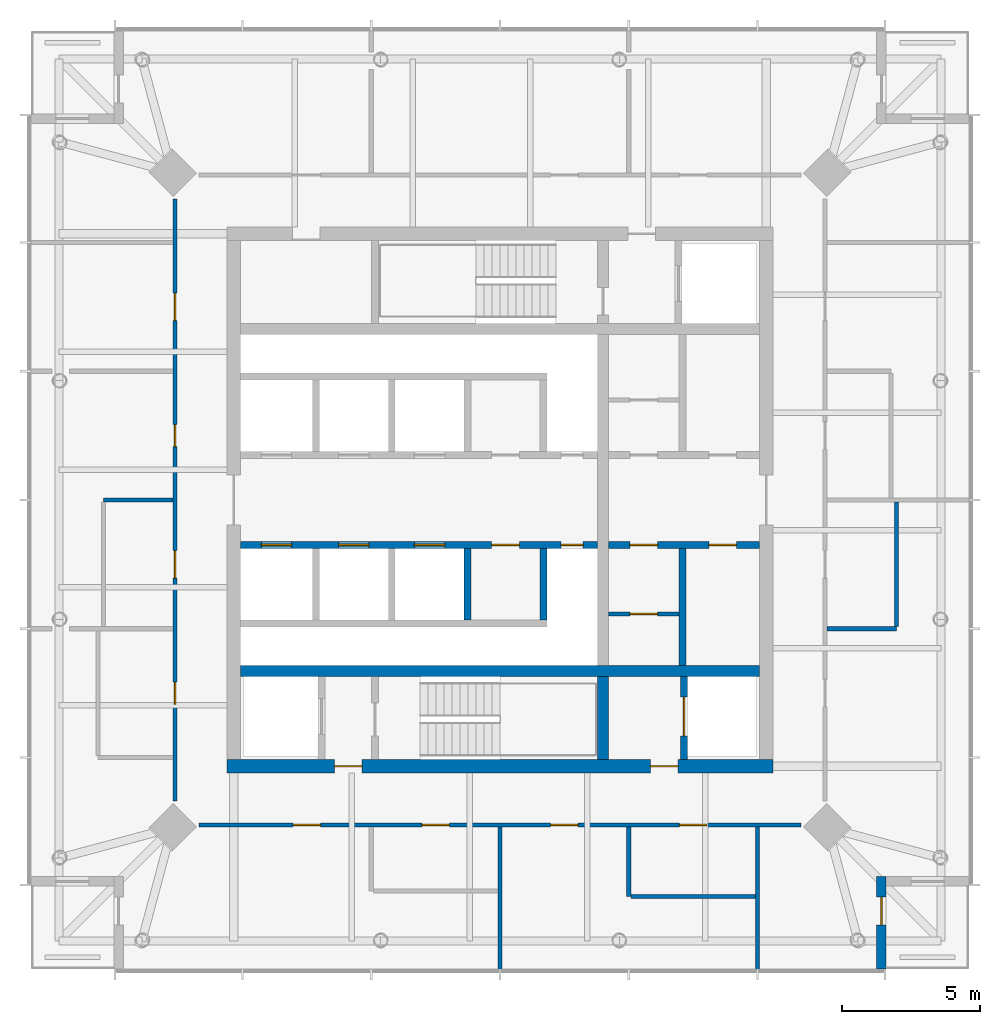
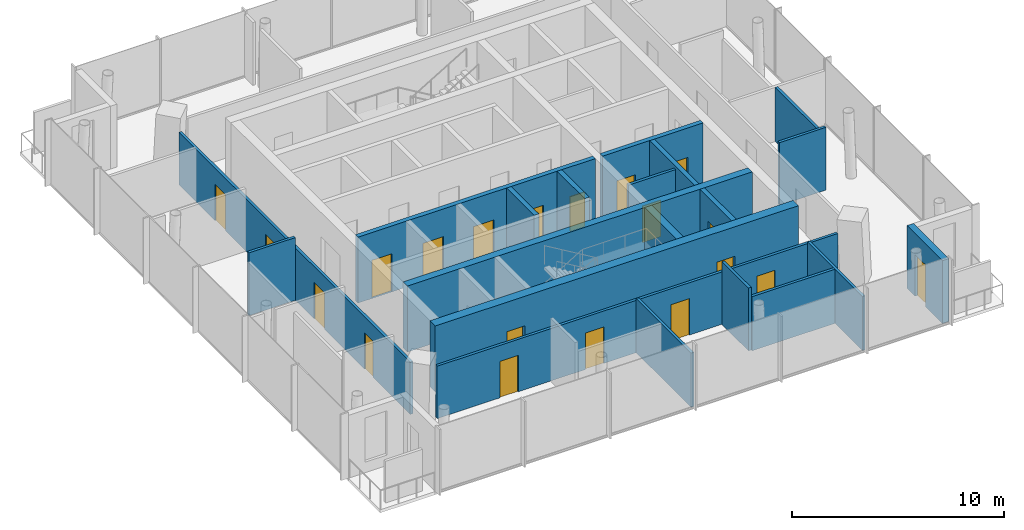
# One storey, part 4 of 7: 20 doors, 20 walls, 20 openings.
"""IFC4 building model written with IfcOpenShell, lengths in metres."""

from ifc_helpers import new_model, si_unit, direction, frame, frame_2d, origin, place, context, subcontext, project, spatial, rectangle, extrude, material, layer, layer_set, type_object, element, fill, save


model = new_model("IFC4")

# Units and contexts
model_context = context("Model", 3, precision=1e-05, world=origin(), true_north=direction((0.0, 1.0)))
body_context = subcontext(model_context, "Body", "Model", "MODEL_VIEW")
ifc_project = project(units=[si_unit("LENGTHUNIT", "METRE"), si_unit("AREAUNIT", "SQUARE_METRE"), si_unit("VOLUMEUNIT", "CUBIC_METRE"), si_unit("PLANEANGLEUNIT", "RADIAN"), si_unit("MASSUNIT", "GRAM", prefix="KILO")], contexts=[model_context])

# Site, building, storey
site_placement = place(None, origin())
site = spatial("IfcSite", under=ifc_project, at=site_placement, CompositionType="ELEMENT")
building_placement = place(site_placement, origin())
building = spatial("IfcBuilding", under=site, at=building_placement, Name="Ostroluk Exchange", CompositionType="ELEMENT")
storey_placement = place(building_placement, frame((0.0, 0.0, 271.800048828125)))
storey = spatial("IfcBuildingStorey", under=building, at=storey_placement, Name="L70", CompositionType="ELEMENT", Elevation=271.800048828125)

# Wall, opening, door
ifc_material_1 = material(Name="Concrete blockwork", Category="masonry")
ifc_layer_1 = layer(ifc_material_1, 0.14990234375)
ifc_layer_set_1 = layer_set([ifc_layer_1], Name="Blockwork plant room wall 150")
wall_type_1 = type_object("IfcWallType", Name="Blockwork plant room wall 150", PredefinedType="SOLIDWALL", material=ifc_layer_set_1)
wall_1_placement = place(storey_placement, frame((48.929931640625, 41.8701171875, 0.0), z_axis=(0.0, 0.0, 1.0), x_axis=(1.0, 0.0, 0.0)))
wall_1 = element("IfcWall", 1, at=wall_1_placement, inside=storey, type_object=wall_type_1, Name="Core room wall", PredefinedType="SOLIDWALL", context=body_context, shape_type="SweptSolid", body=[
    extrude(rectangle(XDim=2.56005859375, YDim=0.14990234375, at=frame_2d((1.280029296875, 0.0))), origin(), (0.0, 0.0, 1.0), 3.619873046875),
])
opening_1_placement = place(wall_1_placement, frame((0.780029296875, 0.0, 0.0)))
opening_1 = element("IfcOpeningElement", 2, at=opening_1_placement, cuts=wall_1, Name="Opening FD60", PredefinedType="OPENING", context=body_context, shape_type="SweptSolid", body=[
    extrude(rectangle(XDim=1.0, YDim=2.10009765625, at=frame_2d((0.5, 1.050048828125))), frame((0.0, 0.0849609375, 0.0), z_axis=(0.0, -1.0, 0.0), x_axis=(1.0, 0.0, 0.0)), (0.0, 0.0, 1.0), 0.169921875),
])
ifc_material_2 = material(Name="Steel", Category="steel")
door_type_1 = type_object("IfcDoorType", Name="Fire door EI 60 1000 x 2100", OperationType="SINGLE_SWING_LEFT", PredefinedType="DOOR", material=ifc_material_2)
door_1_placement = place(opening_1_placement, origin())
door_1 = element("IfcDoor", 3, at=door_1_placement, inside=storey, type_object=door_type_1, Name="Store door", OperationType="SINGLE_SWING_LEFT", OverallHeight=2.10009765625, OverallWidth=1.0, PredefinedType="DOOR", context=body_context, shape_type="SweptSolid", body=[
    extrude(rectangle(XDim=1.0, YDim=2.10009765625, at=frame_2d((0.5, 1.050048828125))), frame((0.0, 0.02490234375, 0.0), z_axis=(0.0, -1.0, 0.0), x_axis=(1.0, 0.0, 0.0)), (0.0, 0.0, 1.0), 0.050048828125),
])
fill(opening_1, door_1)

# Walls
ifc_material_3 = material(Name="Concrete C50/60", Category="concrete")
ifc_layer_2 = layer(ifc_material_3, 0.39990234375)
ifc_layer_set_2 = layer_set([ifc_layer_2], Name="Core cross wall 400 C50/60")
wall_type_2 = type_object("IfcWallType", Name="Core cross wall 400 C50/60", PredefinedType="SHEAR", material=ifc_layer_set_2)
wall_2_placement = place(storey_placement, frame((35.60009765625, 39.800048828125, 0.0), z_axis=(0.0, 0.0, 1.0), x_axis=(1.0, 0.0, 0.0)))
element("IfcWall", 4, at=wall_2_placement, inside=storey, type_object=wall_type_2, Name="T1 core wall XS", PredefinedType="SHEAR", context=body_context, shape_type="SweptSolid", body=[
    extrude(rectangle(XDim=18.7998046875, YDim=0.39990234375, at=frame_2d((9.39990234375, 0.0))), origin(), (0.0, 0.0, 1.0), 3.800048828125),
])
wall_3_placement = place(storey_placement, frame((48.72998046875, 36.60009765625, 0.0), z_axis=(0.0, 0.0, 1.0), x_axis=(0.0, 1.0, 0.0)))
element("IfcWall", 5, at=wall_3_placement, inside=storey, type_object=wall_type_2, Name="T1 core wall YE1", PredefinedType="SHEAR", context=body_context, shape_type="SweptSolid", body=[
    extrude(rectangle(XDim=3.0, YDim=0.39990234375, at=frame_2d((1.5, 0.0))), origin(), (0.0, 0.0, 1.0), 3.800048828125),
])

# Wall, opening, door
ifc_material_4 = material(Name="Concrete C40/50", Category="concrete")
ifc_layer_3 = layer(ifc_material_4, 0.25)
ifc_layer_set_3 = layer_set([ifc_layer_3], Name="Core shaft wall 250")
wall_type_3 = type_object("IfcWallType", Name="Core shaft wall 250", PredefinedType="SHEAR", material=ifc_layer_set_3)
wall_4_placement = place(storey_placement, frame((51.675048828125, 36.60009765625, 0.0), z_axis=(0.0, 0.0, 1.0), x_axis=(0.0, 1.0, 0.0)))
wall_4 = element("IfcWall", 6, at=wall_4_placement, inside=storey, type_object=wall_type_3, Name="Service lift shaft wall", PredefinedType="SHEAR", context=body_context, shape_type="SweptSolid", body=[
    extrude(rectangle(XDim=3.0, YDim=0.25, at=frame_2d((1.5, 0.0))), origin(), (0.0, 0.0, 1.0), 3.800048828125),
])
opening_2_placement = place(wall_4_placement, frame((0.85009765625, 0.0, 0.0)))
opening_2 = element("IfcOpeningElement", 7, at=opening_2_placement, cuts=wall_4, Name="Opening LD3", PredefinedType="OPENING", context=body_context, shape_type="SweptSolid", body=[
    extrude(rectangle(XDim=1.39990234375, YDim=2.39990234375, at=frame_2d((0.699951171875, 1.199951171875))), frame((0.0, 0.135009765625, 0.0), z_axis=(0.0, -1.0, 0.0), x_axis=(1.0, 0.0, 0.0)), (0.0, 0.0, 1.0), 0.27001953125),
])
ifc_material_5 = material(Name="Stainless steel", Category="steel")
door_type_2 = type_object("IfcDoorType", Name="Goods lift landing door E 60 1400 x 2400", OperationType="DOUBLE_DOOR_SLIDING", PredefinedType="DOOR", material=ifc_material_5)
door_2_placement = place(opening_2_placement, origin())
door_2 = element("IfcDoor", 8, at=door_2_placement, inside=storey, type_object=door_type_2, Name="Lift SL1 landing door", OperationType="DOUBLE_DOOR_SLIDING", OverallHeight=2.39990234375, OverallWidth=1.39990234375, PredefinedType="DOOR", context=body_context, shape_type="SweptSolid", body=[
    extrude(rectangle(XDim=1.39990234375, YDim=2.39990234375, at=frame_2d((0.699951171875, 1.199951171875))), frame((0.0, 0.02490234375, 0.0), z_axis=(0.0, -1.0, 0.0), x_axis=(1.0, 0.0, 0.0)), (0.0, 0.0, 1.0), 0.050048828125),
])
fill(opening_2, door_2)

# Walls
for number, where, z_axis, x_axis, name in (
    (9, (43.824951171875, 44.25, 0.0), (0.0, 0.0, 1.0), (0.0, -1.0, 0.0), "Lift shaft wall"),
    (10, (46.574951171875, 44.25, 0.0), (0.0, 0.0, 1.0), (0.0, -1.0, 0.0), "Lift shaft wall"),
):
    element("IfcWall", number, at=place(storey_placement, frame(where, z_axis=z_axis, x_axis=x_axis)), inside=storey, type_object=wall_type_3, Name=name, PredefinedType="SHEAR", context=body_context, shape_type="SweptSolid", body=[
        extrude(rectangle(XDim=2.60009765625, YDim=0.25, at=frame_2d((1.300048828125, 0.0))), origin(), (0.0, 0.0, 1.0), 3.800048828125),
    ])

# Wall, openings, doors
wall_5_placement = place(storey_placement, frame((35.60009765625, 44.375, 0.0), z_axis=(0.0, 0.0, 1.0), x_axis=(1.0, 0.0, 0.0)))
wall_5 = element("IfcWall", 11, at=wall_5_placement, inside=storey, type_object=wall_type_3, Name="Lift shaft front wall", PredefinedType="SHEAR", context=body_context, shape_type="SweptSolid", body=[
    extrude(rectangle(XDim=12.929931640625, YDim=0.25, at=frame_2d((6.46484375, 0.0))), origin(), (0.0, 0.0, 1.0), 3.800048828125),
])
opening_3_placement = place(wall_5_placement, frame((0.75, 0.0, 0.0)))
opening_3 = element("IfcOpeningElement", 12, at=opening_3_placement, cuts=wall_5, Name="Opening LD", PredefinedType="OPENING", context=body_context, shape_type="SweptSolid", body=[
    extrude(rectangle(XDim=1.10009765625, YDim=2.199951171875, at=frame_2d((0.550048828125, 1.10009765625))), frame((0.0, 0.135009765625, 0.0), z_axis=(0.0, -1.0, 0.0), x_axis=(1.0, 0.0, 0.0)), (0.0, 0.0, 1.0), 0.27001953125),
])
opening_4_placement = place(wall_5_placement, frame((3.550048828125, 0.0, 0.0)))
opening_4 = element("IfcOpeningElement", 13, at=opening_4_placement, cuts=wall_5, Name="Opening LD", PredefinedType="OPENING", context=body_context, shape_type="SweptSolid", body=[
    extrude(rectangle(XDim=1.10009765625, YDim=2.199951171875, at=frame_2d((0.550048828125, 1.10009765625))), frame((0.0, 0.135009765625, 0.0), z_axis=(0.0, -1.0, 0.0), x_axis=(1.0, 0.0, 0.0)), (0.0, 0.0, 1.0), 0.27001953125),
])
opening_5_placement = place(wall_5_placement, frame((6.300048828125, 0.0, 0.0)))
opening_5 = element("IfcOpeningElement", 14, at=opening_5_placement, cuts=wall_5, Name="Opening LD", PredefinedType="OPENING", context=body_context, shape_type="SweptSolid", body=[
    extrude(rectangle(XDim=1.10009765625, YDim=2.199951171875, at=frame_2d((0.550048828125, 1.10009765625))), frame((0.0, 0.135009765625, 0.0), z_axis=(0.0, -1.0, 0.0), x_axis=(1.0, 0.0, 0.0)), (0.0, 0.0, 1.0), 0.27001953125),
])
opening_6_placement = place(wall_5_placement, frame((9.10009765625, 0.0, 0.0)))
opening_6 = element("IfcOpeningElement", 15, at=opening_6_placement, cuts=wall_5, Name="Opening FD60", PredefinedType="OPENING", context=body_context, shape_type="SweptSolid", body=[
    extrude(rectangle(XDim=1.0, YDim=2.10009765625, at=frame_2d((0.5, 1.050048828125))), frame((0.0, 0.135009765625, 0.0), z_axis=(0.0, -1.0, 0.0), x_axis=(1.0, 0.0, 0.0)), (0.0, 0.0, 1.0), 0.27001953125),
])
opening_7_placement = place(wall_5_placement, frame((11.614990234375, 0.0, 0.0)))
opening_7 = element("IfcOpeningElement", 16, at=opening_7_placement, cuts=wall_5, Name="Opening RD60", PredefinedType="OPENING", context=body_context, shape_type="SweptSolid", body=[
    extrude(rectangle(XDim=0.800048828125, YDim=2.0, at=frame_2d((0.39990234375, 1.0))), frame((0.0, 0.135009765625, 0.0), z_axis=(0.0, -1.0, 0.0), x_axis=(1.0, 0.0, 0.0)), (0.0, 0.0, 1.0), 0.27001953125),
])
door_3_placement = place(opening_6_placement, origin())
door_3 = element("IfcDoor", 17, at=door_3_placement, inside=storey, type_object=door_type_1, Name="Core room door", OperationType="SINGLE_SWING_RIGHT", OverallHeight=2.10009765625, OverallWidth=1.0, PredefinedType="DOOR", context=body_context, shape_type="SweptSolid", body=[
    extrude(rectangle(XDim=1.0, YDim=2.10009765625, at=frame_2d((0.5, 1.050048828125))), frame((0.0, 0.02490234375, 0.0), z_axis=(0.0, -1.0, 0.0), x_axis=(1.0, 0.0, 0.0)), (0.0, 0.0, 1.0), 0.050048828125),
])
fill(opening_6, door_3)
ifc_material_6 = material(Name="Stainless steel", Category="steel")
door_type_3 = type_object("IfcDoorType", Name="Lift landing door E 60 1100 x 2200", OperationType="DOUBLE_DOOR_SLIDING", PredefinedType="DOOR", material=ifc_material_6)
door_4_placement = place(opening_3_placement, origin())
door_4 = element("IfcDoor", 18, at=door_4_placement, inside=storey, type_object=door_type_3, Name="Lift PL-T4 landing door", OperationType="DOUBLE_DOOR_SLIDING", OverallHeight=2.199951171875, OverallWidth=1.10009765625, PredefinedType="DOOR", context=body_context, shape_type="SweptSolid", body=[
    extrude(rectangle(XDim=1.10009765625, YDim=2.199951171875, at=frame_2d((0.550048828125, 1.10009765625))), frame((0.0, 0.02490234375, 0.0), z_axis=(0.0, -1.0, 0.0), x_axis=(1.0, 0.0, 0.0)), (0.0, 0.0, 1.0), 0.050048828125),
])
fill(opening_3, door_4)
door_5_placement = place(opening_4_placement, origin())
door_5 = element("IfcDoor", 19, at=door_5_placement, inside=storey, type_object=door_type_3, Name="Lift PL-T5 landing door", OperationType="DOUBLE_DOOR_SLIDING", OverallHeight=2.199951171875, OverallWidth=1.10009765625, PredefinedType="DOOR", context=body_context, shape_type="SweptSolid", body=[
    extrude(rectangle(XDim=1.10009765625, YDim=2.199951171875, at=frame_2d((0.550048828125, 1.10009765625))), frame((0.0, 0.02490234375, 0.0), z_axis=(0.0, -1.0, 0.0), x_axis=(1.0, 0.0, 0.0)), (0.0, 0.0, 1.0), 0.050048828125),
])
fill(opening_4, door_5)
door_6_placement = place(opening_5_placement, origin())
door_6 = element("IfcDoor", 20, at=door_6_placement, inside=storey, type_object=door_type_3, Name="Lift PL-T6 landing door", OperationType="DOUBLE_DOOR_SLIDING", OverallHeight=2.199951171875, OverallWidth=1.10009765625, PredefinedType="DOOR", context=body_context, shape_type="SweptSolid", body=[
    extrude(rectangle(XDim=1.10009765625, YDim=2.199951171875, at=frame_2d((0.550048828125, 1.10009765625))), frame((0.0, 0.02490234375, 0.0), z_axis=(0.0, -1.0, 0.0), x_axis=(1.0, 0.0, 0.0)), (0.0, 0.0, 1.0), 0.050048828125),
])
fill(opening_5, door_6)
ifc_material_7 = material(Name="Steel", Category="steel")
door_type_4 = type_object("IfcDoorType", Name="Riser access door EI 60 800 x 2000", OperationType="SINGLE_SWING_LEFT", PredefinedType="DOOR", material=ifc_material_7)
door_7_placement = place(opening_7_placement, origin())
door_7 = element("IfcDoor", 21, at=door_7_placement, inside=storey, type_object=door_type_4, Name="Riser access door", OperationType="SINGLE_SWING_RIGHT", OverallHeight=2.0, OverallWidth=0.800048828125, PredefinedType="DOOR", context=body_context, shape_type="SweptSolid", body=[
    extrude(rectangle(XDim=0.800048828125, YDim=2.0, at=frame_2d((0.39990234375, 1.0))), frame((0.0, 0.02490234375, 0.0), z_axis=(0.0, -1.0, 0.0), x_axis=(1.0, 0.0, 0.0)), (0.0, 0.0, 1.0), 0.050048828125),
])
fill(opening_7, door_7)

# Wall
wall_6_placement = place(storey_placement, frame((51.614990234375, 44.25, 0.0), z_axis=(0.0, 0.0, 1.0), x_axis=(0.0, -1.0, 0.0)))
element("IfcWall", 22, at=wall_6_placement, inside=storey, type_object=wall_type_3, Name="Lift shaft wall", PredefinedType="SHEAR", context=body_context, shape_type="SweptSolid", body=[
    extrude(rectangle(XDim=4.25, YDim=0.25, at=frame_2d((2.125, 0.0))), origin(), (0.0, 0.0, 1.0), 3.800048828125),
])

# Wall, openings, doors
wall_7_placement = place(storey_placement, frame((48.929931640625, 44.375, 0.0), z_axis=(0.0, 0.0, 1.0), x_axis=(1.0, 0.0, 0.0)))
wall_7 = element("IfcWall", 23, at=wall_7_placement, inside=storey, type_object=wall_type_3, Name="Lift shaft front wall", PredefinedType="SHEAR", context=body_context, shape_type="SweptSolid", body=[
    extrude(rectangle(XDim=5.469970703125, YDim=0.25, at=frame_2d((2.73486328125, 0.0))), origin(), (0.0, 0.0, 1.0), 3.800048828125),
])
opening_8_placement = place(wall_7_placement, frame((0.780029296875, 0.0, 0.0)))
opening_8 = element("IfcOpeningElement", 24, at=opening_8_placement, cuts=wall_7, Name="Opening FD60", PredefinedType="OPENING", context=body_context, shape_type="SweptSolid", body=[
    extrude(rectangle(XDim=1.0, YDim=2.10009765625, at=frame_2d((0.5, 1.050048828125))), frame((0.0, 0.135009765625, 0.0), z_axis=(0.0, -1.0, 0.0), x_axis=(1.0, 0.0, 0.0)), (0.0, 0.0, 1.0), 0.27001953125),
])
opening_9_placement = place(wall_7_placement, frame((3.639892578125, 0.0, 0.0)))
opening_9 = element("IfcOpeningElement", 25, at=opening_9_placement, cuts=wall_7, Name="Opening FD60", PredefinedType="OPENING", context=body_context, shape_type="SweptSolid", body=[
    extrude(rectangle(XDim=1.0, YDim=2.10009765625, at=frame_2d((0.5, 1.050048828125))), frame((0.0, 0.135009765625, 0.0), z_axis=(0.0, -1.0, 0.0), x_axis=(1.0, 0.0, 0.0)), (0.0, 0.0, 1.0), 0.27001953125),
])
door_8_placement = place(opening_8_placement, origin())
door_8 = element("IfcDoor", 26, at=door_8_placement, inside=storey, type_object=door_type_1, Name="Core room door", OperationType="SINGLE_SWING_LEFT", OverallHeight=2.10009765625, OverallWidth=1.0, PredefinedType="DOOR", context=body_context, shape_type="SweptSolid", body=[
    extrude(rectangle(XDim=1.0, YDim=2.10009765625, at=frame_2d((0.5, 1.050048828125))), frame((0.0, 0.02490234375, 0.0), z_axis=(0.0, -1.0, 0.0), x_axis=(1.0, 0.0, 0.0)), (0.0, 0.0, 1.0), 0.050048828125),
])
fill(opening_8, door_8)
door_9_placement = place(opening_9_placement, origin())
door_9 = element("IfcDoor", 27, at=door_9_placement, inside=storey, type_object=door_type_1, Name="Core room door", OperationType="SINGLE_SWING_RIGHT", OverallHeight=2.10009765625, OverallWidth=1.0, PredefinedType="DOOR", context=body_context, shape_type="SweptSolid", body=[
    extrude(rectangle(XDim=1.0, YDim=2.10009765625, at=frame_2d((0.5, 1.050048828125))), frame((0.0, 0.02490234375, 0.0), z_axis=(0.0, -1.0, 0.0), x_axis=(1.0, 0.0, 0.0)), (0.0, 0.0, 1.0), 0.050048828125),
])
fill(opening_9, door_9)

ifc_material_8 = material(Name="Concrete C50/60", Category="concrete")
ifc_layer_4 = layer(ifc_material_8, 0.5)
ifc_layer_set_4 = layer_set([ifc_layer_4], Name="Core wall 500 C50/60")
wall_type_4 = type_object("IfcWallType", Name="Core wall 500 C50/60", PredefinedType="SHEAR", material=ifc_layer_set_4)
wall_8_placement = place(storey_placement, frame((35.10009765625, 36.35009765625, 0.0), z_axis=(0.0, 0.0, 1.0), x_axis=(1.0, 0.0, 0.0)))
wall_8 = element("IfcWall", 28, at=wall_8_placement, inside=storey, type_object=wall_type_4, Name="T1 core wall S", PredefinedType="SHEAR", context=body_context, shape_type="SweptSolid", body=[
    extrude(rectangle(XDim=19.7998046875, YDim=0.5, at=frame_2d((9.89990234375, 0.0))), origin(), (0.0, 0.0, 1.0), 3.800048828125),
])
opening_10_placement = place(wall_8_placement, frame((3.89990234375, 0.0, 0.0)))
opening_10 = element("IfcOpeningElement", 29, at=opening_10_placement, cuts=wall_8, Name="Opening FD60", PredefinedType="OPENING", context=body_context, shape_type="SweptSolid", body=[
    extrude(rectangle(XDim=1.0, YDim=2.10009765625, at=frame_2d((0.5, 1.050048828125))), frame((0.0, 0.260009765625, 0.0), z_axis=(0.0, -1.0, 0.0), x_axis=(1.0, 0.0, 0.0)), (0.0, 0.0, 1.0), 0.52001953125),
])
opening_11_placement = place(wall_8_placement, frame((15.35009765625, 0.0, 0.0)))
opening_11 = element("IfcOpeningElement", 30, at=opening_11_placement, cuts=wall_8, Name="Opening FD60", PredefinedType="OPENING", context=body_context, shape_type="SweptSolid", body=[
    extrude(rectangle(XDim=1.0, YDim=2.10009765625, at=frame_2d((0.5, 1.050048828125))), frame((0.0, 0.260009765625, 0.0), z_axis=(0.0, -1.0, 0.0), x_axis=(1.0, 0.0, 0.0)), (0.0, 0.0, 1.0), 0.52001953125),
])
door_10_placement = place(opening_10_placement, origin())
door_10 = element("IfcDoor", 31, at=door_10_placement, inside=storey, type_object=door_type_1, Name="Firefighting lobby door", OperationType="SINGLE_SWING_LEFT", OverallHeight=2.10009765625, OverallWidth=1.0, PredefinedType="DOOR", context=body_context, shape_type="SweptSolid", body=[
    extrude(rectangle(XDim=1.0, YDim=2.10009765625, at=frame_2d((0.5, 1.050048828125))), frame((0.0, 0.02490234375, 0.0), z_axis=(0.0, -1.0, 0.0), x_axis=(1.0, 0.0, 0.0)), (0.0, 0.0, 1.0), 0.050048828125),
])
fill(opening_10, door_10)
door_11_placement = place(opening_11_placement, origin())
door_11 = element("IfcDoor", 32, at=door_11_placement, inside=storey, type_object=door_type_1, Name="Service lobby door", OperationType="SINGLE_SWING_RIGHT", OverallHeight=2.10009765625, OverallWidth=1.0, PredefinedType="DOOR", context=body_context, shape_type="SweptSolid", body=[
    extrude(rectangle(XDim=1.0, YDim=2.10009765625, at=frame_2d((0.5, 1.050048828125))), frame((0.0, 0.02490234375, 0.0), z_axis=(0.0, -1.0, 0.0), x_axis=(1.0, 0.0, 0.0)), (0.0, 0.0, 1.0), 0.050048828125),
])
fill(opening_11, door_11)

# Wall, opening, door
ifc_material_9 = material(Name="Limestone", Category="masonry")
ifc_layer_5 = layer(ifc_material_9, 0.35009765625)
ifc_layer_set_5 = layer_set([ifc_layer_5], Name="Limestone facade wall 350")
wall_type_5 = type_object("IfcWallType", Name="Limestone facade wall 350", PredefinedType="SOLIDWALL", material=ifc_layer_set_5)
wall_9_placement = place(storey_placement, frame((58.824951171875, 29.0, 0.0), z_axis=(0.0, 0.0, 1.0), x_axis=(0.0, 1.0, 0.0)))
wall_9 = element("IfcWall", 33, at=wall_9_placement, inside=storey, type_object=wall_type_5, Name="Office tower SE corner wall L70 a", PredefinedType="SOLIDWALL", context=body_context, shape_type="SweptSolid", body=[
    extrude(rectangle(XDim=3.35009765625, YDim=0.35009765625, at=frame_2d((1.675048828125, 0.0))), origin(), (0.0, 0.0, 1.0), 3.619873046875),
])
opening_12_placement = place(wall_9_placement, frame((1.60009765625, 0.0, 0.0)))
opening_12 = element("IfcOpeningElement", 34, at=opening_12_placement, cuts=wall_9, Name="Opening D-B1", PredefinedType="OPENING", context=body_context, shape_type="SweptSolid", body=[
    extrude(rectangle(XDim=1.0, YDim=2.39990234375, at=frame_2d((0.5, 1.199951171875))), frame((0.0, 0.18505859375, 0.0), z_axis=(0.0, -1.0, 0.0), x_axis=(1.0, 0.0, 0.0)), (0.0, 0.0, 1.0), 0.3701171875),
])
ifc_material_10 = material(Name="Bronze framed glazed door", Category="aluminium")
door_type_5 = type_object("IfcDoorType", Name="Balcony door 1000 x 2400", OperationType="SINGLE_SWING_LEFT", PredefinedType="DOOR", material=ifc_material_10)
door_12_placement = place(opening_12_placement, origin())
door_12 = element("IfcDoor", 35, at=door_12_placement, inside=storey, type_object=door_type_5, Name="Office tower SE balcony door L70", OperationType="SINGLE_SWING_RIGHT", OverallHeight=2.39990234375, OverallWidth=1.0, PredefinedType="DOOR", context=body_context, shape_type="SweptSolid", body=[
    extrude(rectangle(XDim=1.0, YDim=2.39990234375, at=frame_2d((0.5, 1.199951171875))), frame((0.0, 0.02490234375, 0.0), z_axis=(0.0, -1.0, 0.0), x_axis=(1.0, 0.0, 0.0)), (0.0, 0.0, 1.0), 0.050048828125),
])
fill(opening_12, door_12)

# Walls
ifc_material_11 = material(Name="Gypsum plasterboard partition", Category="gypsum")
ifc_layer_6 = layer(ifc_material_11, 0.14990234375)
ifc_layer_set_6 = layer_set([ifc_layer_6], Name="Plasterboard partition 150")
wall_type_6 = type_object("IfcWallType", Name="Plasterboard partition 150", PredefinedType="PARTITIONING", material=ifc_layer_set_6)
wall_10_placement = place(storey_placement, frame((59.375, 41.408447265625, 0.0), z_axis=(0.0, 0.0, 1.0), x_axis=(0.0, 1.0, 0.0)))
element("IfcWall", 36, at=wall_10_placement, inside=storey, type_object=wall_type_6, Name="Partition", PredefinedType="PARTITIONING", context=body_context, shape_type="SweptSolid", body=[
    extrude(rectangle(XDim=4.5166015625, YDim=0.14990234375, at=frame_2d((2.25830078125, 0.0))), origin(), (0.0, 0.0, 1.0), 3.119873046875),
])
wall_11_placement = place(storey_placement, frame((56.85009765625, 41.333251953125, 0.0), z_axis=(0.0, 0.0, 1.0), x_axis=(1.0, 0.0, 0.0)))
element("IfcWall", 37, at=wall_11_placement, inside=storey, type_object=wall_type_6, Name="Partition", PredefinedType="PARTITIONING", context=body_context, shape_type="SweptSolid", body=[
    extrude(rectangle(XDim=2.52490234375, YDim=0.14990234375, at=frame_2d((1.262451171875, 0.0))), origin(), (0.0, 0.0, 1.0), 3.619873046875),
])

# Wall, openings, doors
wall_12_placement = place(storey_placement, frame((33.22509765625, 56.915771484375, 0.0), z_axis=(0.0, 0.0, 1.0), x_axis=(0.0, -1.0, 0.0)))
wall_12 = element("IfcWall", 38, at=wall_12_placement, inside=storey, type_object=wall_type_6, Name="Partition", PredefinedType="PARTITIONING", context=body_context, shape_type="SweptSolid", body=[
    extrude(rectangle(XDim=21.83154296875, YDim=0.14990234375, at=frame_2d((10.915771484375, 0.0))), origin(), (0.0, 0.0, 1.0), 3.02001953125),
])
opening_13_placement = place(wall_12_placement, frame((3.415771484375, 0.0, 0.0)))
opening_13 = element("IfcOpeningElement", 39, at=opening_13_placement, cuts=wall_12, Name="Opening D-03", PredefinedType="OPENING", context=body_context, shape_type="SweptSolid", body=[
    extrude(rectangle(XDim=1.0, YDim=2.10009765625, at=frame_2d((0.5, 1.050048828125))), frame((0.0, 0.0849609375, 0.0), z_axis=(0.0, -1.0, 0.0), x_axis=(1.0, 0.0, 0.0)), (0.0, 0.0, 1.0), 0.169921875),
])
opening_14_placement = place(wall_12_placement, frame((8.182373046875, 0.0, 0.0)))
opening_14 = element("IfcOpeningElement", 40, at=opening_14_placement, cuts=wall_12, Name="Opening D-06", PredefinedType="OPENING", context=body_context, shape_type="SweptSolid", body=[
    extrude(rectangle(XDim=0.800048828125, YDim=2.10009765625, at=frame_2d((0.39990234375, 1.050048828125))), frame((0.0, 0.0849609375, 0.0), z_axis=(0.0, -1.0, 0.0), x_axis=(1.0, 0.0, 0.0)), (0.0, 0.0, 1.0), 0.169921875),
])
opening_15_placement = place(wall_12_placement, frame((12.7490234375, 0.0, 0.0)))
opening_15 = element("IfcOpeningElement", 41, at=opening_15_placement, cuts=wall_12, Name="Opening D-03", PredefinedType="OPENING", context=body_context, shape_type="SweptSolid", body=[
    extrude(rectangle(XDim=1.0, YDim=2.10009765625, at=frame_2d((0.5, 1.050048828125))), frame((0.0, 0.0849609375, 0.0), z_axis=(0.0, -1.0, 0.0), x_axis=(1.0, 0.0, 0.0)), (0.0, 0.0, 1.0), 0.169921875),
])
opening_16_placement = place(wall_12_placement, frame((17.515869140625, 0.0, 0.0)))
opening_16 = element("IfcOpeningElement", 42, at=opening_16_placement, cuts=wall_12, Name="Opening D-06", PredefinedType="OPENING", context=body_context, shape_type="SweptSolid", body=[
    extrude(rectangle(XDim=0.800048828125, YDim=2.10009765625, at=frame_2d((0.39990234375, 1.050048828125))), frame((0.0, 0.0849609375, 0.0), z_axis=(0.0, -1.0, 0.0), x_axis=(1.0, 0.0, 0.0)), (0.0, 0.0, 1.0), 0.169921875),
])
ifc_material_12 = material(Name="Timber", Category="wood")
door_type_6 = type_object("IfcDoorType", Name="Internal door 1000 x 2100", OperationType="SINGLE_SWING_LEFT", PredefinedType="DOOR", material=ifc_material_12)
door_13_placement = place(opening_13_placement, origin())
door_13 = element("IfcDoor", 43, at=door_13_placement, inside=storey, type_object=door_type_6, Name="Office door", OperationType="SINGLE_SWING_LEFT", OverallHeight=2.10009765625, OverallWidth=1.0, PredefinedType="DOOR", context=body_context, shape_type="SweptSolid", body=[
    extrude(rectangle(XDim=1.0, YDim=2.10009765625, at=frame_2d((0.5, 1.050048828125))), frame((0.0, 0.02490234375, 0.0), z_axis=(0.0, -1.0, 0.0), x_axis=(1.0, 0.0, 0.0)), (0.0, 0.0, 1.0), 0.050048828125),
])
fill(opening_13, door_13)
door_14_placement = place(opening_15_placement, origin())
door_14 = element("IfcDoor", 44, at=door_14_placement, inside=storey, type_object=door_type_6, Name="Accessible WC door", OperationType="SINGLE_SWING_RIGHT", OverallHeight=2.10009765625, OverallWidth=1.0, PredefinedType="DOOR", context=body_context, shape_type="SweptSolid", body=[
    extrude(rectangle(XDim=1.0, YDim=2.10009765625, at=frame_2d((0.5, 1.050048828125))), frame((0.0, 0.02490234375, 0.0), z_axis=(0.0, -1.0, 0.0), x_axis=(1.0, 0.0, 0.0)), (0.0, 0.0, 1.0), 0.050048828125),
])
fill(opening_15, door_14)
ifc_material_13 = material(Name="Timber", Category="wood")
door_type_7 = type_object("IfcDoorType", Name="Toilet door 800 x 2100", OperationType="SINGLE_SWING_LEFT", PredefinedType="DOOR", material=ifc_material_13)
door_15_placement = place(opening_14_placement, origin())
door_15 = element("IfcDoor", 45, at=door_15_placement, inside=storey, type_object=door_type_7, Name="WC female door", OperationType="SINGLE_SWING_LEFT", OverallHeight=2.10009765625, OverallWidth=0.800048828125, PredefinedType="DOOR", context=body_context, shape_type="SweptSolid", body=[
    extrude(rectangle(XDim=0.800048828125, YDim=2.10009765625, at=frame_2d((0.39990234375, 1.050048828125))), frame((0.0, 0.02490234375, 0.0), z_axis=(0.0, -1.0, 0.0), x_axis=(1.0, 0.0, 0.0)), (0.0, 0.0, 1.0), 0.050048828125),
])
fill(opening_14, door_15)
door_16_placement = place(opening_16_placement, origin())
door_16 = element("IfcDoor", 46, at=door_16_placement, inside=storey, type_object=door_type_7, Name="WC male door", OperationType="SINGLE_SWING_RIGHT", OverallHeight=2.10009765625, OverallWidth=0.800048828125, PredefinedType="DOOR", context=body_context, shape_type="SweptSolid", body=[
    extrude(rectangle(XDim=0.800048828125, YDim=2.10009765625, at=frame_2d((0.39990234375, 1.050048828125))), frame((0.0, 0.02490234375, 0.0), z_axis=(0.0, -1.0, 0.0), x_axis=(1.0, 0.0, 0.0)), (0.0, 0.0, 1.0), 0.050048828125),
])
fill(opening_16, door_16)

# Walls
wall_13_placement = place(storey_placement, frame((33.14990234375, 46.0, 0.0), z_axis=(0.0, 0.0, 1.0), x_axis=(-1.0, 0.0, 0.0)))
element("IfcWall", 47, at=wall_13_placement, inside=storey, type_object=wall_type_6, Name="Partition", PredefinedType="PARTITIONING", context=body_context, shape_type="SweptSolid", body=[
    extrude(rectangle(XDim=2.52490234375, YDim=0.14990234375, at=frame_2d((1.262451171875, 0.0))), origin(), (0.0, 0.0, 1.0), 3.619873046875),
])
wall_14_placement = place(storey_placement, frame((49.74169921875, 31.625, 0.0), z_axis=(0.0, 0.0, 1.0), x_axis=(1.0, 0.0, 0.0)))
element("IfcWall", 48, at=wall_14_placement, inside=storey, type_object=wall_type_6, Name="Partition", PredefinedType="PARTITIONING", context=body_context, shape_type="SweptSolid", body=[
    extrude(rectangle(XDim=4.5166015625, YDim=0.14990234375, at=frame_2d((2.25830078125, 0.0))), origin(), (0.0, 0.0, 1.0), 3.119873046875),
])

# Wall, openings, doors
wall_15_placement = place(storey_placement, frame((34.084228515625, 34.22509765625, 0.0), z_axis=(0.0, 0.0, 1.0), x_axis=(1.0, 0.0, 0.0)))
wall_15 = element("IfcWall", 49, at=wall_15_placement, inside=storey, type_object=wall_type_6, Name="Partition", PredefinedType="PARTITIONING", context=body_context, shape_type="SweptSolid", body=[
    extrude(rectangle(XDim=21.83154296875, YDim=0.14990234375, at=frame_2d((10.915771484375, 0.0))), origin(), (0.0, 0.0, 1.0), 3.02001953125),
])
opening_17_placement = place(wall_15_placement, frame((3.415771484375, 0.0, 0.0)))
opening_17 = element("IfcOpeningElement", 50, at=opening_17_placement, cuts=wall_15, Name="Opening D-03", PredefinedType="OPENING", context=body_context, shape_type="SweptSolid", body=[
    extrude(rectangle(XDim=1.0, YDim=2.10009765625, at=frame_2d((0.5, 1.050048828125))), frame((0.0, 0.0849609375, 0.0), z_axis=(0.0, -1.0, 0.0), x_axis=(1.0, 0.0, 0.0)), (0.0, 0.0, 1.0), 0.169921875),
])
opening_18_placement = place(wall_15_placement, frame((8.08251953125, 0.0, 0.0)))
opening_18 = element("IfcOpeningElement", 51, at=opening_18_placement, cuts=wall_15, Name="Opening D-03", PredefinedType="OPENING", context=body_context, shape_type="SweptSolid", body=[
    extrude(rectangle(XDim=1.0, YDim=2.10009765625, at=frame_2d((0.5, 1.050048828125))), frame((0.0, 0.0849609375, 0.0), z_axis=(0.0, -1.0, 0.0), x_axis=(1.0, 0.0, 0.0)), (0.0, 0.0, 1.0), 0.169921875),
])
opening_19_placement = place(wall_15_placement, frame((12.7490234375, 0.0, 0.0)))
opening_19 = element("IfcOpeningElement", 52, at=opening_19_placement, cuts=wall_15, Name="Opening D-03", PredefinedType="OPENING", context=body_context, shape_type="SweptSolid", body=[
    extrude(rectangle(XDim=1.0, YDim=2.10009765625, at=frame_2d((0.5, 1.050048828125))), frame((0.0, 0.0849609375, 0.0), z_axis=(0.0, -1.0, 0.0), x_axis=(1.0, 0.0, 0.0)), (0.0, 0.0, 1.0), 0.169921875),
])
opening_20_placement = place(wall_15_placement, frame((17.415771484375, 0.0, 0.0)))
opening_20 = element("IfcOpeningElement", 53, at=opening_20_placement, cuts=wall_15, Name="Opening D-03", PredefinedType="OPENING", context=body_context, shape_type="SweptSolid", body=[
    extrude(rectangle(XDim=1.0, YDim=2.10009765625, at=frame_2d((0.5, 1.050048828125))), frame((0.0, 0.0849609375, 0.0), z_axis=(0.0, -1.0, 0.0), x_axis=(1.0, 0.0, 0.0)), (0.0, 0.0, 1.0), 0.169921875),
])
door_17_placement = place(opening_17_placement, origin())
door_17 = element("IfcDoor", 54, at=door_17_placement, inside=storey, type_object=door_type_6, Name="Corner office door", OperationType="SINGLE_SWING_LEFT", OverallHeight=2.10009765625, OverallWidth=1.0, PredefinedType="DOOR", context=body_context, shape_type="SweptSolid", body=[
    extrude(rectangle(XDim=1.0, YDim=2.10009765625, at=frame_2d((0.5, 1.050048828125))), frame((0.0, 0.02490234375, 0.0), z_axis=(0.0, -1.0, 0.0), x_axis=(1.0, 0.0, 0.0)), (0.0, 0.0, 1.0), 0.050048828125),
])
fill(opening_17, door_17)
door_18_placement = place(opening_18_placement, origin())
door_18 = element("IfcDoor", 55, at=door_18_placement, inside=storey, type_object=door_type_6, Name="Print and store room door", OperationType="SINGLE_SWING_LEFT", OverallHeight=2.10009765625, OverallWidth=1.0, PredefinedType="DOOR", context=body_context, shape_type="SweptSolid", body=[
    extrude(rectangle(XDim=1.0, YDim=2.10009765625, at=frame_2d((0.5, 1.050048828125))), frame((0.0, 0.02490234375, 0.0), z_axis=(0.0, -1.0, 0.0), x_axis=(1.0, 0.0, 0.0)), (0.0, 0.0, 1.0), 0.050048828125),
])
fill(opening_18, door_18)
door_19_placement = place(opening_19_placement, origin())
door_19 = element("IfcDoor", 56, at=door_19_placement, inside=storey, type_object=door_type_6, Name="Office door", OperationType="SINGLE_SWING_RIGHT", OverallHeight=2.10009765625, OverallWidth=1.0, PredefinedType="DOOR", context=body_context, shape_type="SweptSolid", body=[
    extrude(rectangle(XDim=1.0, YDim=2.10009765625, at=frame_2d((0.5, 1.050048828125))), frame((0.0, 0.02490234375, 0.0), z_axis=(0.0, -1.0, 0.0), x_axis=(1.0, 0.0, 0.0)), (0.0, 0.0, 1.0), 0.050048828125),
])
fill(opening_19, door_19)
door_20_placement = place(opening_20_placement, origin())
door_20 = element("IfcDoor", 57, at=door_20_placement, inside=storey, type_object=door_type_6, Name="Pantry door", OperationType="SINGLE_SWING_RIGHT", OverallHeight=2.10009765625, OverallWidth=1.0, PredefinedType="DOOR", context=body_context, shape_type="SweptSolid", body=[
    extrude(rectangle(XDim=1.0, YDim=2.10009765625, at=frame_2d((0.5, 1.050048828125))), frame((0.0, 0.02490234375, 0.0), z_axis=(0.0, -1.0, 0.0), x_axis=(1.0, 0.0, 0.0)), (0.0, 0.0, 1.0), 0.050048828125),
])
fill(opening_20, door_20)

# Walls
wall_16_placement = place(storey_placement, frame((45.0, 34.14990234375, 0.0), z_axis=(0.0, 0.0, 1.0), x_axis=(0.0, -1.0, 0.0)))
element("IfcWall", 58, at=wall_16_placement, inside=storey, type_object=wall_type_6, Name="Partition", PredefinedType="PARTITIONING", context=body_context, shape_type="SweptSolid", body=[
    extrude(rectangle(XDim=5.18994140625, YDim=0.14990234375, at=frame_2d((2.594970703125, 0.0))), origin(), (0.0, 0.0, 1.0), 3.119873046875),
])
wall_17_placement = place(storey_placement, frame((49.666748046875, 34.14990234375, 0.0), z_axis=(0.0, 0.0, 1.0), x_axis=(0.0, -1.0, 0.0)))
element("IfcWall", 59, at=wall_17_placement, inside=storey, type_object=wall_type_6, Name="Partition", PredefinedType="PARTITIONING", context=body_context, shape_type="SweptSolid", body=[
    extrude(rectangle(XDim=2.52490234375, YDim=0.14990234375, at=frame_2d((1.262451171875, 0.0))), origin(), (0.0, 0.0, 1.0), 3.619873046875),
])
wall_18_placement = place(storey_placement, frame((54.333251953125, 34.14990234375, 0.0), z_axis=(0.0, 0.0, 1.0), x_axis=(0.0, -1.0, 0.0)))
element("IfcWall", 60, at=wall_18_placement, inside=storey, type_object=wall_type_6, Name="Partition", PredefinedType="PARTITIONING", context=body_context, shape_type="SweptSolid", body=[
    extrude(rectangle(XDim=5.18994140625, YDim=0.14990234375, at=frame_2d((2.594970703125, 0.0))), origin(), (0.0, 0.0, 1.0), 3.119873046875),
])

save(model, "model.ifc")
